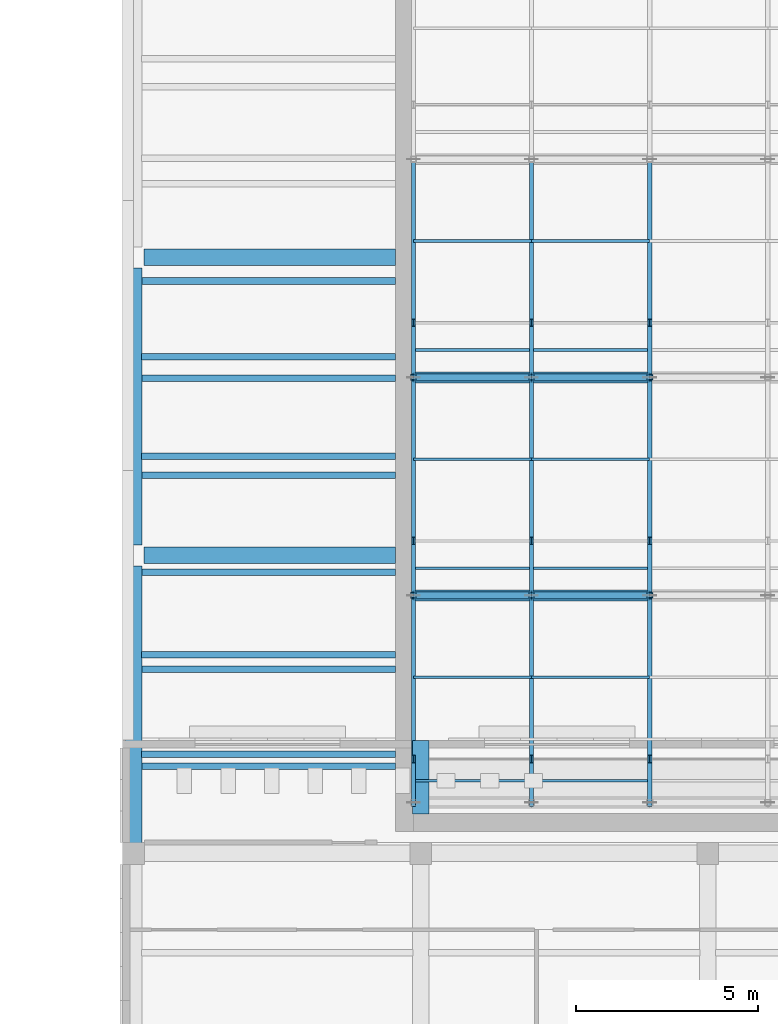
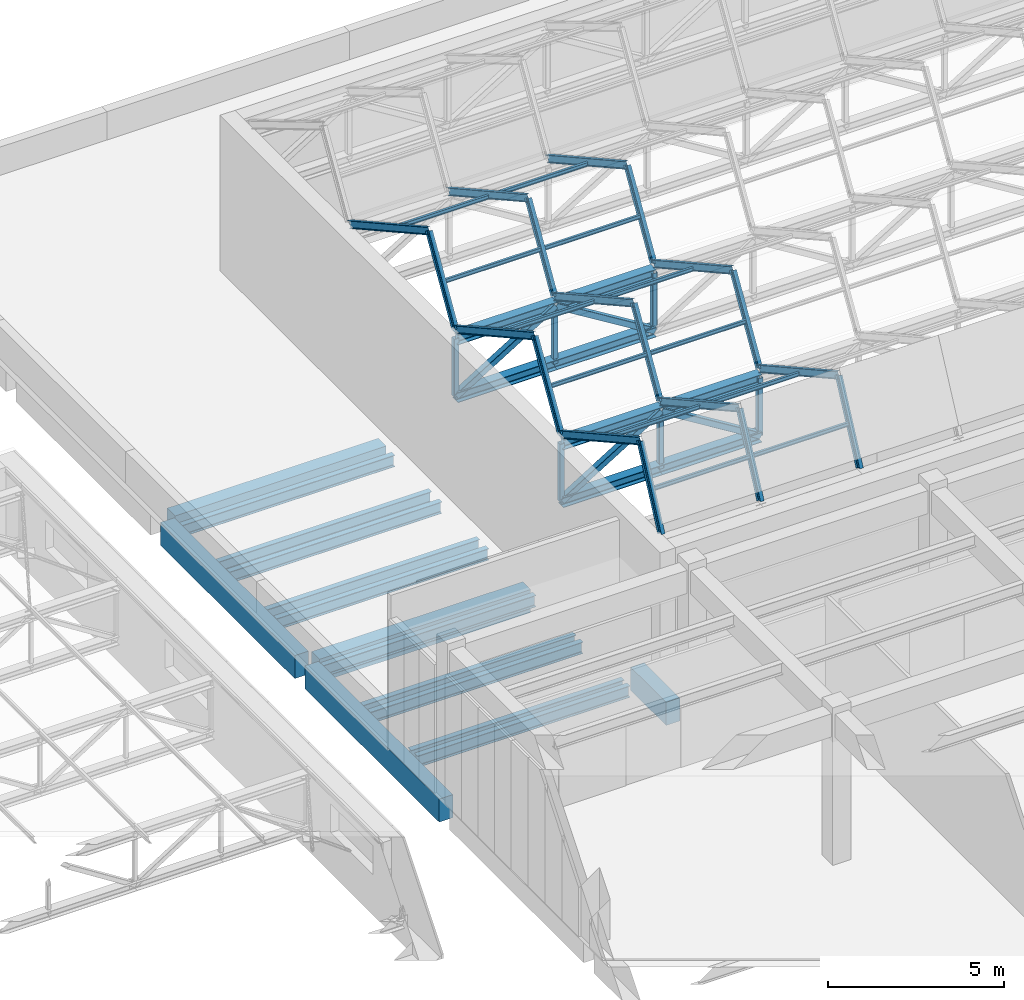
# One storey, part 51 of 132: 48 members, 15 beams.
"""IFC4 building model written with IfcOpenShell, lengths in metres."""

from ifc_helpers import new_model, si_unit, direction, frame, origin, origin_2d, place, context, subcontext, project, spatial, rectangle, hollow_rectangle, i_section, extrude, material, material_profile, profile_set, type_object, element, save


model = new_model("IFC4")

# Units and contexts
model_context = context("Model", 3, precision=1e-05, world=origin(), true_north=direction((0.0, 1.0)))
body_context = subcontext(model_context, "Body", "Model", "MODEL_VIEW")
ifc_project = project(units=[si_unit("LENGTHUNIT", "METRE"), si_unit("AREAUNIT", "SQUARE_METRE"), si_unit("VOLUMEUNIT", "CUBIC_METRE"), si_unit("PLANEANGLEUNIT", "RADIAN"), si_unit("MASSUNIT", "GRAM", prefix="KILO")], contexts=[model_context])

# Site, building, storey
site_placement = place(None, origin())
site = spatial("IfcSite", under=ifc_project, at=site_placement, CompositionType="ELEMENT")
building_placement = place(site_placement, origin())
building = spatial("IfcBuilding", under=site, at=building_placement, Name="Lunette Opera House", CompositionType="ELEMENT")
storey_placement = place(building_placement, frame((0.0, 0.0, 17.0)))
storey = spatial("IfcBuildingStorey", under=building, at=storey_placement, Name="L03", CompositionType="ELEMENT", Elevation=17.0)

# Members
ifc_material_1 = material(Name="Steel S355", Category="steel")
ifc_material_profile_1 = material_profile(ifc_material_1, i_section(OverallWidth=0.300048828125, OverallDepth=0.35009765625, WebThickness=0.010009765625, FlangeThickness=0.017578125, FilletRadius=0.027099609375, at=origin_2d()), Name="HEA 360")
ifc_profile_set_1 = profile_set([ifc_material_profile_1], Name="Steel S355")
member_type_1 = type_object("IfcMemberType", Name="CHORD HEA 360", PredefinedType="CHORD", material=ifc_profile_set_1)
for number, where, z_axis, x_axis, name in (
    (1, (144.0, 110.0, 5.205078125), (1.0, 0.0, 0.0), (0.0, 1.0, 0.0), "mem-WW-L03-WW-TR02-TC1"),
    (2, (144.0, 110.0, 3.205078125), (1.0, 0.0, 0.0), (0.0, 1.0, 0.0), "mem-WW-L03-WW-TR02-BC1"),
    (3, (147.25, 110.0, 5.205078125), (1.0, 0.0, 0.0), (0.0, 1.0, 0.0), "mem-WW-L03-WW-TR02-TC2"),
    (4, (147.25, 110.0, 3.205078125), (1.0, 0.0, 0.0), (0.0, 1.0, 0.0), "mem-WW-L03-WW-TR02-BC2"),
    (5, (144.0, 116.0, 5.205078125), (1.0, 0.0, 0.0), (0.0, 1.0, 0.0), "mem-WW-L03-WW-TR03-TC1"),
    (6, (144.0, 116.0, 3.205078125), (1.0, 0.0, 0.0), (0.0, 1.0, 0.0), "mem-WW-L03-WW-TR03-BC1"),
    (7, (147.25, 116.0, 5.205078125), (1.0, 0.0, 0.0), (0.0, 1.0, 0.0), "mem-WW-L03-WW-TR03-TC2"),
    (8, (147.25, 116.0, 3.205078125), (1.0, 0.0, 0.0), (0.0, 1.0, 0.0), "mem-WW-L03-WW-TR03-BC2"),
):
    element("IfcMember", number, at=place(storey_placement, frame(where, z_axis=z_axis, x_axis=x_axis)), inside=storey, type_object=member_type_1, Name=name, PredefinedType="CHORD", context=body_context, shape_type="SweptSolid", body=[
        extrude(i_section(OverallWidth=0.300048828125, OverallDepth=0.35009765625, WebThickness=0.010009765625, FlangeThickness=0.017578125, FilletRadius=0.027099609375, at=origin_2d()), origin(), (0.0, 0.0, 1.0), 3.25),
    ])
ifc_material_2 = material(Name="Steel S355", Category="steel")
ifc_material_profile_2 = material_profile(ifc_material_2, hollow_rectangle(XDim=0.199951171875, YDim=0.199951171875, WallThickness=0.008056640625, InnerFilletRadius=0.008056640625, OuterFilletRadius=0.01611328125, at=origin_2d()), Name="RHS 200X200X8")
ifc_profile_set_2 = profile_set([ifc_material_profile_2], Name="Steel S355")
member_type_2 = type_object("IfcMemberType", Name="DIAGONAL RHS 200X200X8", PredefinedType="BRACE", material=ifc_profile_set_2)
for number, where, z_axis, x_axis, name in (
    (9, (144.0, 110.0, 3.205078125), (0.851658316705, 0.0, 0.524097425664), (0.0, 1.0, 0.0), "mem-WW-L03-WW-TR02-TD1"),
    (10, (147.25, 110.0, 5.205078125), (0.851658316705, 0.0, -0.524097425664), (0.0, 1.0, 0.0), "mem-WW-L03-WW-TR02-TD2"),
    (11, (144.0, 116.0, 3.205078125), (0.851658316705, 0.0, 0.524097425664), (0.0, 1.0, 0.0), "mem-WW-L03-WW-TR03-TD1"),
    (12, (147.25, 116.0, 5.205078125), (0.851658316705, 0.0, -0.524097425664), (0.0, 1.0, 0.0), "mem-WW-L03-WW-TR03-TD2"),
):
    element("IfcMember", number, at=place(storey_placement, frame(where, z_axis=z_axis, x_axis=x_axis)), inside=storey, type_object=member_type_2, Name=name, PredefinedType="BRACE", context=body_context, shape_type="SweptSolid", body=[
        extrude(hollow_rectangle(XDim=0.199951171875, YDim=0.199951171875, WallThickness=0.008056640625, InnerFilletRadius=0.008056640625, OuterFilletRadius=0.01611328125, at=origin_2d()), origin(), (0.0, 0.0, 1.0), 3.816162109375),
    ])
ifc_material_3 = material(Name="Steel S355", Category="steel")
ifc_material_profile_3 = material_profile(ifc_material_3, i_section(OverallWidth=0.072998046875, OverallDepth=0.139892578125, WebThickness=0.004638671875, FlangeThickness=0.0068359375, FilletRadius=0.007080078125, at=origin_2d()), Name="IPE 140")
ifc_profile_set_3 = profile_set([ifc_material_profile_3], Name="Steel S355")
member_type_3 = type_object("IfcMemberType", Name="PURLIN IPE 140", PredefinedType="PURLIN", material=ifc_profile_set_3)
for number, where, z_axis, x_axis, name in (
    (13, (144.0, 104.89990234375, 6.679931640625), (1.0, 0.0, 0.0), (0.0, 1.0, 0.0), "mem-WW-L03-WW-PN1-1A"),
    (14, (144.0, 107.75, 6.679931640625), (1.0, 0.0, 0.0), (0.0, 1.0, 0.0), "mem-WW-L03-WW-PN1-1B"),
    (15, (147.25, 104.89990234375, 6.679931640625), (1.0, 0.0, 0.0), (0.0, 1.0, 0.0), "mem-WW-L03-WW-PN1-2A"),
    (16, (147.25, 107.75, 6.679931640625), (1.0, 0.0, 0.0), (0.0, 1.0, 0.0), "mem-WW-L03-WW-PN1-2B"),
    (17, (144.0, 110.75, 6.679931640625), (1.0, 0.0, 0.0), (0.0, 1.0, 0.0), "mem-WW-L03-WW-PN2-1A"),
    (18, (144.0, 113.75, 6.679931640625), (1.0, 0.0, 0.0), (0.0, 1.0, 0.0), "mem-WW-L03-WW-PN2-1B"),
    (19, (147.25, 110.75, 6.679931640625), (1.0, 0.0, 0.0), (0.0, 1.0, 0.0), "mem-WW-L03-WW-PN2-2A"),
    (20, (147.25, 113.75, 6.679931640625), (1.0, 0.0, 0.0), (0.0, 1.0, 0.0), "mem-WW-L03-WW-PN2-2B"),
    (21, (144.0, 116.75, 6.679931640625), (1.0, 0.0, 0.0), (0.0, 1.0, 0.0), "mem-WW-L03-WW-PN3-1A"),
    (22, (144.0, 119.75, 6.679931640625), (1.0, 0.0, 0.0), (0.0, 1.0, 0.0), "mem-WW-L03-WW-PN3-1B"),
    (23, (147.25, 116.75, 6.679931640625), (1.0, 0.0, 0.0), (0.0, 1.0, 0.0), "mem-WW-L03-WW-PN3-2A"),
    (24, (147.25, 119.75, 6.679931640625), (1.0, 0.0, 0.0), (0.0, 1.0, 0.0), "mem-WW-L03-WW-PN3-2B"),
):
    element("IfcMember", number, at=place(storey_placement, frame(where, z_axis=z_axis, x_axis=x_axis)), inside=storey, type_object=member_type_3, Name=name, PredefinedType="PURLIN", context=body_context, shape_type="SweptSolid", body=[
        extrude(i_section(OverallWidth=0.072998046875, OverallDepth=0.139892578125, WebThickness=0.004638671875, FlangeThickness=0.0068359375, FilletRadius=0.007080078125, at=origin_2d()), origin(), (0.0, 0.0, 1.0), 3.25),
    ])
ifc_material_4 = material(Name="Steel S355", Category="steel")
ifc_material_profile_4 = material_profile(ifc_material_4, i_section(OverallWidth=0.1201171875, OverallDepth=0.239990234375, WebThickness=0.006103515625, FlangeThickness=0.009765625, FilletRadius=0.014892578125, at=origin_2d()), Name="IPE 240")
ifc_profile_set_4 = profile_set([ifc_material_profile_4], Name="Steel S355")
member_type_4 = type_object("IfcMemberType", Name="RAFTER IPE 240", PredefinedType="RAFTER", material=ifc_profile_set_4)
member_1_placement = place(storey_placement, frame((144.0, 104.300048828125, 5.5), z_axis=(0.0, 0.432716756732, 0.901529926538), x_axis=(-1.0, 0.0, 0.0)))
element("IfcMember", 25, at=member_1_placement, inside=storey, type_object=member_type_4, Name="mem-WW-L03-WW-RF1-1A", PredefinedType="RAFTER", context=body_context, shape_type="SweptSolid", body=[
    extrude(i_section(OverallWidth=0.1201171875, OverallDepth=0.239990234375, WebThickness=0.006103515625, FlangeThickness=0.009765625, FilletRadius=0.014892578125, at=origin_2d()), origin(), (0.0, 0.0, 1.0), 2.77294921875),
])
member_2_placement = place(storey_placement, frame((144.0, 105.5, 8.0), z_axis=(0.0, 0.874157276122, -0.485642931179), x_axis=(-1.0, 0.0, 0.0)))
element("IfcMember", 26, at=member_2_placement, inside=storey, type_object=member_type_4, Name="mem-WW-L03-WW-RF1-1B", PredefinedType="RAFTER", context=body_context, shape_type="SweptSolid", body=[
    extrude(i_section(OverallWidth=0.1201171875, OverallDepth=0.239990234375, WebThickness=0.006103515625, FlangeThickness=0.009765625, FilletRadius=0.014892578125, at=origin_2d()), origin(), (0.0, 0.0, 1.0), 5.147705078125),
])
member_3_placement = place(storey_placement, frame((147.25, 104.300048828125, 5.5), z_axis=(0.0, 0.432716756732, 0.901529926538), x_axis=(-1.0, 0.0, 0.0)))
element("IfcMember", 27, at=member_3_placement, inside=storey, type_object=member_type_4, Name="mem-WW-L03-WW-RF1-2A", PredefinedType="RAFTER", context=body_context, shape_type="SweptSolid", body=[
    extrude(i_section(OverallWidth=0.1201171875, OverallDepth=0.239990234375, WebThickness=0.006103515625, FlangeThickness=0.009765625, FilletRadius=0.014892578125, at=origin_2d()), origin(), (0.0, 0.0, 1.0), 2.77294921875),
])
member_4_placement = place(storey_placement, frame((147.25, 105.5, 8.0), z_axis=(0.0, 0.874157276122, -0.485642931179), x_axis=(-1.0, 0.0, 0.0)))
element("IfcMember", 28, at=member_4_placement, inside=storey, type_object=member_type_4, Name="mem-WW-L03-WW-RF1-2B", PredefinedType="RAFTER", context=body_context, shape_type="SweptSolid", body=[
    extrude(i_section(OverallWidth=0.1201171875, OverallDepth=0.239990234375, WebThickness=0.006103515625, FlangeThickness=0.009765625, FilletRadius=0.014892578125, at=origin_2d()), origin(), (0.0, 0.0, 1.0), 5.147705078125),
])
member_5_placement = place(storey_placement, frame((150.5, 104.300048828125, 5.5), z_axis=(0.0, 0.432716756732, 0.901529926538), x_axis=(-1.0, 0.0, 0.0)))
element("IfcMember", 29, at=member_5_placement, inside=storey, type_object=member_type_4, Name="mem-WW-L03-WW-RF1-3A", PredefinedType="RAFTER", context=body_context, shape_type="SweptSolid", body=[
    extrude(i_section(OverallWidth=0.1201171875, OverallDepth=0.239990234375, WebThickness=0.006103515625, FlangeThickness=0.009765625, FilletRadius=0.014892578125, at=origin_2d()), origin(), (0.0, 0.0, 1.0), 2.77294921875),
])
member_6_placement = place(storey_placement, frame((150.5, 105.5, 8.0), z_axis=(0.0, 0.874157276122, -0.485642931179), x_axis=(-1.0, 0.0, 0.0)))
element("IfcMember", 30, at=member_6_placement, inside=storey, type_object=member_type_4, Name="mem-WW-L03-WW-RF1-3B", PredefinedType="RAFTER", context=body_context, shape_type="SweptSolid", body=[
    extrude(i_section(OverallWidth=0.1201171875, OverallDepth=0.239990234375, WebThickness=0.006103515625, FlangeThickness=0.009765625, FilletRadius=0.014892578125, at=origin_2d()), origin(), (0.0, 0.0, 1.0), 5.147705078125),
])
member_7_placement = place(storey_placement, frame((144.0, 110.0, 5.5), z_axis=(0.0, 0.514495755428, 0.857492925713), x_axis=(-1.0, 0.0, 0.0)))
element("IfcMember", 31, at=member_7_placement, inside=storey, type_object=member_type_4, Name="mem-WW-L03-WW-RF2-1A", PredefinedType="RAFTER", context=body_context, shape_type="SweptSolid", body=[
    extrude(i_section(OverallWidth=0.1201171875, OverallDepth=0.239990234375, WebThickness=0.006103515625, FlangeThickness=0.009765625, FilletRadius=0.014892578125, at=origin_2d()), origin(), (0.0, 0.0, 1.0), 2.91552734375),
])
member_8_placement = place(storey_placement, frame((144.0, 111.5, 8.0), z_axis=(0.0, 0.874157276122, -0.485642931179), x_axis=(-1.0, 0.0, 0.0)))
element("IfcMember", 32, at=member_8_placement, inside=storey, type_object=member_type_4, Name="mem-WW-L03-WW-RF2-1B", PredefinedType="RAFTER", context=body_context, shape_type="SweptSolid", body=[
    extrude(i_section(OverallWidth=0.1201171875, OverallDepth=0.239990234375, WebThickness=0.006103515625, FlangeThickness=0.009765625, FilletRadius=0.014892578125, at=origin_2d()), origin(), (0.0, 0.0, 1.0), 5.147705078125),
])
member_9_placement = place(storey_placement, frame((147.25, 110.0, 5.5), z_axis=(0.0, 0.514495755428, 0.857492925713), x_axis=(-1.0, 0.0, 0.0)))
element("IfcMember", 33, at=member_9_placement, inside=storey, type_object=member_type_4, Name="mem-WW-L03-WW-RF2-2A", PredefinedType="RAFTER", context=body_context, shape_type="SweptSolid", body=[
    extrude(i_section(OverallWidth=0.1201171875, OverallDepth=0.239990234375, WebThickness=0.006103515625, FlangeThickness=0.009765625, FilletRadius=0.014892578125, at=origin_2d()), origin(), (0.0, 0.0, 1.0), 2.91552734375),
])
member_10_placement = place(storey_placement, frame((147.25, 111.5, 8.0), z_axis=(0.0, 0.874157276122, -0.485642931179), x_axis=(-1.0, 0.0, 0.0)))
element("IfcMember", 34, at=member_10_placement, inside=storey, type_object=member_type_4, Name="mem-WW-L03-WW-RF2-2B", PredefinedType="RAFTER", context=body_context, shape_type="SweptSolid", body=[
    extrude(i_section(OverallWidth=0.1201171875, OverallDepth=0.239990234375, WebThickness=0.006103515625, FlangeThickness=0.009765625, FilletRadius=0.014892578125, at=origin_2d()), origin(), (0.0, 0.0, 1.0), 5.147705078125),
])
member_11_placement = place(storey_placement, frame((150.5, 110.0, 5.5), z_axis=(0.0, 0.514495755428, 0.857492925713), x_axis=(-1.0, 0.0, 0.0)))
element("IfcMember", 35, at=member_11_placement, inside=storey, type_object=member_type_4, Name="mem-WW-L03-WW-RF2-3A", PredefinedType="RAFTER", context=body_context, shape_type="SweptSolid", body=[
    extrude(i_section(OverallWidth=0.1201171875, OverallDepth=0.239990234375, WebThickness=0.006103515625, FlangeThickness=0.009765625, FilletRadius=0.014892578125, at=origin_2d()), origin(), (0.0, 0.0, 1.0), 2.91552734375),
])
member_12_placement = place(storey_placement, frame((150.5, 111.5, 8.0), z_axis=(0.0, 0.874157276122, -0.485642931179), x_axis=(-1.0, 0.0, 0.0)))
element("IfcMember", 36, at=member_12_placement, inside=storey, type_object=member_type_4, Name="mem-WW-L03-WW-RF2-3B", PredefinedType="RAFTER", context=body_context, shape_type="SweptSolid", body=[
    extrude(i_section(OverallWidth=0.1201171875, OverallDepth=0.239990234375, WebThickness=0.006103515625, FlangeThickness=0.009765625, FilletRadius=0.014892578125, at=origin_2d()), origin(), (0.0, 0.0, 1.0), 5.147705078125),
])
member_13_placement = place(storey_placement, frame((144.0, 116.0, 5.5), z_axis=(0.0, 0.514495755428, 0.857492925713), x_axis=(-1.0, 0.0, 0.0)))
element("IfcMember", 37, at=member_13_placement, inside=storey, type_object=member_type_4, Name="mem-WW-L03-WW-RF3-1A", PredefinedType="RAFTER", context=body_context, shape_type="SweptSolid", body=[
    extrude(i_section(OverallWidth=0.1201171875, OverallDepth=0.239990234375, WebThickness=0.006103515625, FlangeThickness=0.009765625, FilletRadius=0.014892578125, at=origin_2d()), origin(), (0.0, 0.0, 1.0), 2.91552734375),
])
member_14_placement = place(storey_placement, frame((144.0, 117.5, 8.0), z_axis=(0.0, 0.874157276122, -0.485642931179), x_axis=(-1.0, 0.0, 0.0)))
element("IfcMember", 38, at=member_14_placement, inside=storey, type_object=member_type_4, Name="mem-WW-L03-WW-RF3-1B", PredefinedType="RAFTER", context=body_context, shape_type="SweptSolid", body=[
    extrude(i_section(OverallWidth=0.1201171875, OverallDepth=0.239990234375, WebThickness=0.006103515625, FlangeThickness=0.009765625, FilletRadius=0.014892578125, at=origin_2d()), origin(), (0.0, 0.0, 1.0), 5.147705078125),
])
member_15_placement = place(storey_placement, frame((147.25, 116.0, 5.5), z_axis=(0.0, 0.514495755428, 0.857492925713), x_axis=(-1.0, 0.0, 0.0)))
element("IfcMember", 39, at=member_15_placement, inside=storey, type_object=member_type_4, Name="mem-WW-L03-WW-RF3-2A", PredefinedType="RAFTER", context=body_context, shape_type="SweptSolid", body=[
    extrude(i_section(OverallWidth=0.1201171875, OverallDepth=0.239990234375, WebThickness=0.006103515625, FlangeThickness=0.009765625, FilletRadius=0.014892578125, at=origin_2d()), origin(), (0.0, 0.0, 1.0), 2.91552734375),
])
member_16_placement = place(storey_placement, frame((147.25, 117.5, 8.0), z_axis=(0.0, 0.874157276122, -0.485642931179), x_axis=(-1.0, 0.0, 0.0)))
element("IfcMember", 40, at=member_16_placement, inside=storey, type_object=member_type_4, Name="mem-WW-L03-WW-RF3-2B", PredefinedType="RAFTER", context=body_context, shape_type="SweptSolid", body=[
    extrude(i_section(OverallWidth=0.1201171875, OverallDepth=0.239990234375, WebThickness=0.006103515625, FlangeThickness=0.009765625, FilletRadius=0.014892578125, at=origin_2d()), origin(), (0.0, 0.0, 1.0), 5.147705078125),
])
member_17_placement = place(storey_placement, frame((150.5, 116.0, 5.5), z_axis=(0.0, 0.514495755428, 0.857492925713), x_axis=(-1.0, 0.0, 0.0)))
element("IfcMember", 41, at=member_17_placement, inside=storey, type_object=member_type_4, Name="mem-WW-L03-WW-RF3-3A", PredefinedType="RAFTER", context=body_context, shape_type="SweptSolid", body=[
    extrude(i_section(OverallWidth=0.1201171875, OverallDepth=0.239990234375, WebThickness=0.006103515625, FlangeThickness=0.009765625, FilletRadius=0.014892578125, at=origin_2d()), origin(), (0.0, 0.0, 1.0), 2.91552734375),
])
member_18_placement = place(storey_placement, frame((150.5, 117.5, 8.0), z_axis=(0.0, 0.874157276122, -0.485642931179), x_axis=(-1.0, 0.0, 0.0)))
element("IfcMember", 42, at=member_18_placement, inside=storey, type_object=member_type_4, Name="mem-WW-L03-WW-RF3-3B", PredefinedType="RAFTER", context=body_context, shape_type="SweptSolid", body=[
    extrude(i_section(OverallWidth=0.1201171875, OverallDepth=0.239990234375, WebThickness=0.006103515625, FlangeThickness=0.009765625, FilletRadius=0.014892578125, at=origin_2d()), origin(), (0.0, 0.0, 1.0), 5.147705078125),
])

# Beams
ifc_material_5 = material(Name="Concrete C35/45", Category="concrete")
ifc_material_profile_5 = material_profile(ifc_material_5, rectangle(XDim=0.449951171875, YDim=0.800048828125, at=origin_2d()), Name="RC BEAM 450X800")
ifc_profile_set_5 = profile_set([ifc_material_profile_5], Name="Concrete C35/45")
beam_type_1 = type_object("IfcBeamType", Name="RC BEAM 450X800", PredefinedType="BEAM", material=ifc_profile_set_5)
for number, where, z_axis, x_axis, name in (
    (43, (136.300048828125, 103.18994140625, -0.64990234375), (0.0, 1.0, 0.0), (-1.0, 0.0, 0.0), "beam-WW-L03-L03-GY03"),
    (44, (136.300048828125, 111.389892578125, -0.64990234375), (0.0, 1.0, 0.0), (-1.0, 0.0, 0.0), "beam-WW-L03-L03-GY04"),
):
    element("IfcBeam", number, at=place(storey_placement, frame(where, z_axis=z_axis, x_axis=x_axis)), inside=storey, type_object=beam_type_1, Name=name, PredefinedType="BEAM", context=body_context, shape_type="SweptSolid", body=[
        extrude(rectangle(XDim=0.449951171875, YDim=0.800048828125, at=origin_2d()), origin(), (0.0, 0.0, 1.0), 7.6201171875),
    ])
beam_placement = place(storey_placement, frame((144.199951171875, 103.989990234375, -0.550048828125), z_axis=(0.0, 1.0, 0.0), x_axis=(-1.0, 0.0, 0.0)))
element("IfcBeam", 45, at=beam_placement, inside=storey, type_object=beam_type_1, Name="beam-WW-L03-L03-GY13", PredefinedType="BEAM", context=body_context, shape_type="SweptSolid", body=[
    extrude(rectangle(XDim=0.449951171875, YDim=0.800048828125, at=origin_2d()), origin(), (0.0, 0.0, 1.0), 2.02001953125),
])
for number, where, z_axis, x_axis, name in (
    (46, (136.590087890625, 111.10009765625, -0.64990234375), (1.0, 0.0, 0.0), (0.0, 1.0, 0.0), "beam-WW-L03-L03-GX04"),
    (47, (136.590087890625, 119.300048828125, -0.64990234375), (1.0, 0.0, 0.0), (0.0, 1.0, 0.0), "beam-WW-L03-L03-GX05"),
):
    element("IfcBeam", number, at=place(storey_placement, frame(where, z_axis=z_axis, x_axis=x_axis)), inside=storey, type_object=beam_type_1, Name=name, PredefinedType="BEAM", context=body_context, shape_type="SweptSolid", body=[
        extrude(rectangle(XDim=0.449951171875, YDim=0.800048828125, at=origin_2d()), origin(), (0.0, 0.0, 1.0), 6.919921875),
    ])
ifc_material_6 = material(Name="Steel S355", Category="steel")
ifc_material_profile_6 = material_profile(ifc_material_6, i_section(OverallWidth=0.179931640625, OverallDepth=0.39990234375, WebThickness=0.008544921875, FlangeThickness=0.013427734375, FilletRadius=0.02099609375, at=origin_2d()), Name="IPE 400")
ifc_profile_set_6 = profile_set([ifc_material_profile_6], Name="Steel S355")
beam_type_2 = type_object("IfcBeamType", Name="STEEL BEAM IPE 400", PredefinedType="BEAM", material=ifc_profile_set_6)
for number, where, z_axis, x_axis, name in (
    (48, (136.514892578125, 105.633056640625, -0.35009765625), (1.0, 0.0, 0.0), (0.0, 1.0, 0.0), "beam-WW-L03-L03-SX031"),
    (49, (136.514892578125, 108.366943359375, -0.449951171875), (1.0, 0.0, 0.0), (0.0, 1.0, 0.0), "beam-WW-L03-L03-SX032"),
    (50, (136.514892578125, 113.8330078125, -0.449951171875), (1.0, 0.0, 0.0), (0.0, 1.0, 0.0), "beam-WW-L03-L03-SX041"),
    (51, (136.514892578125, 116.56689453125, -0.449951171875), (1.0, 0.0, 0.0), (0.0, 1.0, 0.0), "beam-WW-L03-L03-SX042"),
):
    element("IfcBeam", number, at=place(storey_placement, frame(where, z_axis=z_axis, x_axis=x_axis)), inside=storey, type_object=beam_type_2, Name=name, PredefinedType="BEAM", context=body_context, shape_type="SweptSolid", body=[
        extrude(i_section(OverallWidth=0.179931640625, OverallDepth=0.39990234375, WebThickness=0.008544921875, FlangeThickness=0.013427734375, FilletRadius=0.02099609375, at=origin_2d()), origin(), (0.0, 0.0, 1.0), 6.985107421875),
    ])
for number, where, z_axis, x_axis, name in (
    (52, (143.5, 105.300048828125, -0.35009765625), (-1.0, 0.0, 0.0), (0.0, -1.0, 0.0), "beam-WW-L03-L03-RJW1441040"),
    (53, (143.5, 107.969970703125, -0.449951171875), (-1.0, 0.0, 0.0), (0.0, -1.0, 0.0), "beam-WW-L03-L03-RJW1441041"),
    (54, (143.5, 110.639892578125, -0.449951171875), (-1.0, 0.0, 0.0), (0.0, -1.0, 0.0), "beam-WW-L03-L03-RJW1441042"),
    (55, (143.5, 113.31005859375, -0.449951171875), (-1.0, 0.0, 0.0), (0.0, -1.0, 0.0), "beam-WW-L03-L03-RJW1441043"),
    (56, (143.5, 115.97998046875, -0.449951171875), (-1.0, 0.0, 0.0), (0.0, -1.0, 0.0), "beam-WW-L03-L03-RJW1441044"),
    (57, (143.5, 118.64990234375, -0.449951171875), (-1.0, 0.0, 0.0), (0.0, -1.0, 0.0), "beam-WW-L03-L03-RJW1441045"),
):
    element("IfcBeam", number, at=place(storey_placement, frame(where, z_axis=z_axis, x_axis=x_axis)), inside=storey, type_object=beam_type_2, Name=name, PredefinedType="BEAM", context=body_context, shape_type="SweptSolid", body=[
        extrude(i_section(OverallWidth=0.179931640625, OverallDepth=0.39990234375, WebThickness=0.008544921875, FlangeThickness=0.013427734375, FilletRadius=0.02099609375, at=origin_2d()), origin(), (0.0, 0.0, 1.0), 6.965087890625),
    ])

# Members
ifc_material_7 = material(Name="Steel S355", Category="steel")
ifc_material_profile_7 = material_profile(ifc_material_7, hollow_rectangle(XDim=0.159912109375, YDim=0.159912109375, WallThickness=0.008056640625, InnerFilletRadius=0.008056640625, OuterFilletRadius=0.01611328125, at=origin_2d()), Name="RHS 160X160X8")
ifc_profile_set_7 = profile_set([ifc_material_profile_7], Name="Steel S355")
member_type_5 = type_object("IfcMemberType", Name="VERTICAL RHS 160X160X8", PredefinedType="POST", material=ifc_profile_set_7)
for number, where, z_axis, x_axis, name in (
    (58, (144.0, 110.0, 3.205078125), (0.0, 0.0, 1.0), (1.0, 0.0, 0.0), "mem-WW-L03-WW-TR02-TV1"),
    (59, (147.25, 110.0, 3.205078125), (0.0, 0.0, 1.0), (1.0, 0.0, 0.0), "mem-WW-L03-WW-TR02-TV2"),
    (60, (150.5, 110.0, 3.205078125), (0.0, 0.0, 1.0), (1.0, 0.0, 0.0), "mem-WW-L03-WW-TR02-TV3"),
    (61, (144.0, 116.0, 3.205078125), (0.0, 0.0, 1.0), (1.0, 0.0, 0.0), "mem-WW-L03-WW-TR03-TV1"),
    (62, (147.25, 116.0, 3.205078125), (0.0, 0.0, 1.0), (1.0, 0.0, 0.0), "mem-WW-L03-WW-TR03-TV2"),
    (63, (150.5, 116.0, 3.205078125), (0.0, 0.0, 1.0), (1.0, 0.0, 0.0), "mem-WW-L03-WW-TR03-TV3"),
):
    element("IfcMember", number, at=place(storey_placement, frame(where, z_axis=z_axis, x_axis=x_axis)), inside=storey, type_object=member_type_5, Name=name, PredefinedType="POST", context=body_context, shape_type="SweptSolid", body=[
        extrude(hollow_rectangle(XDim=0.159912109375, YDim=0.159912109375, WallThickness=0.008056640625, InnerFilletRadius=0.008056640625, OuterFilletRadius=0.01611328125, at=origin_2d()), origin(), (0.0, 0.0, 1.0), 2.0),
    ])

save(model, "model.ifc")
